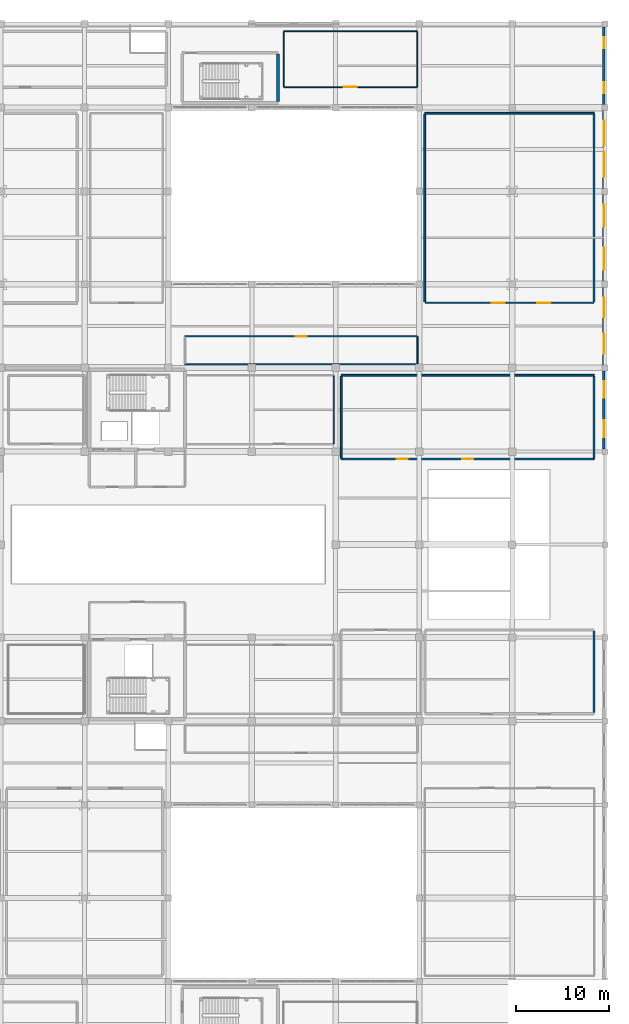
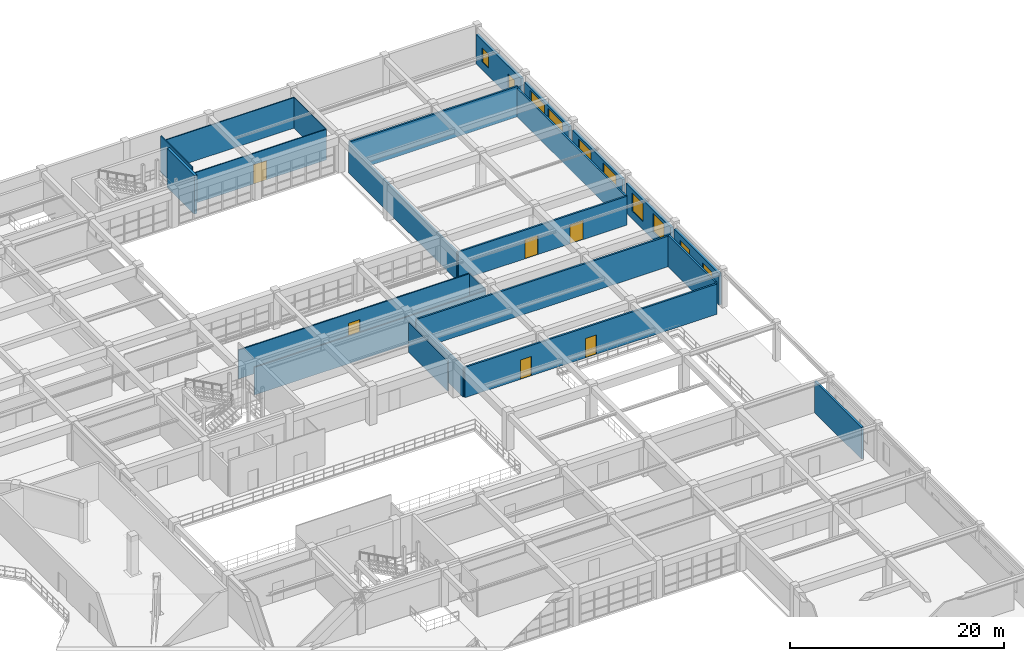
# One storey, part 117 of 133: 23 walls, 10 windows, 6 doors, 16 openings.
"""IFC4 building model written with IfcOpenShell, lengths in metres."""

import ifcopenshell
import ifcopenshell.guid

model = None  # the IFC model being written
_history = None  # IfcOwnerHistory: only IFC2X3 demands one
_inside = {}  # id of a spatial element -> (the spatial element, [elements in it])
_under = {}  # id of a project, library or spatial element -> (it, [spatial elements below it])
_declared = {}  # id of a project -> (the project, [libraries it declares])
_typed = {}  # id of a type object -> (the type object, [elements of that type])
_made_of = {}  # id of a material, layer set ... -> (it, [elements and type objects made of it])


def new_model(schema):
    """Start an empty IFC model of exactly this schema.

    Asked for "IFC4X3", IfcOpenShell would pick the latest addendum, in which some entities
    have other attributes; the version numbers below select the first issue.
    IFC2X3 requires an IfcOwnerHistory on every rooted entity: one is made here for all.
    """
    global model, _history
    if schema == "IFC4X3":
        model = ifcopenshell.file(schema_version=(4, 3, 0, 0))
    else:
        model = ifcopenshell.file(schema=schema)
    _inside.clear()
    _under.clear()
    _declared.clear()
    _typed.clear()
    _made_of.clear()
    _history = None
    if model.schema == "IFC2X3":
        org = make("IfcOrganization", Name="unknown")
        user = make(
            "IfcPersonAndOrganization",
            ThePerson=make("IfcPerson", FamilyName="unknown"),
            TheOrganization=org,
        )
        app = make(
            "IfcApplication",
            ApplicationDeveloper=org,
            Version="unknown",
            ApplicationFullName="unknown",
            ApplicationIdentifier="unknown",
        )
        _history = make(
            "IfcOwnerHistory",
            OwningUser=user,
            OwningApplication=app,
            ChangeAction="ADDED",
            CreationDate=0,
        )
    return model


def make(cls, **values):
    """One entity of the class cls with the attributes given. An attribute that is None is left unset."""
    return model.create_entity(
        cls, **{name: value for name, value in values.items() if value is not None}
    )


def rooted(cls, **values):
    """An entity with a GlobalId (a new one), such as an element, a storey or a relation."""
    return make(cls, GlobalId=ifcopenshell.guid.new(), OwnerHistory=_history, **values)


def si_unit(unit_type, name, prefix=None):
    """IfcSIUnit, for example si_unit("LENGTHUNIT", "METRE", prefix="MILLI")."""
    return make("IfcSIUnit", UnitType=unit_type, Prefix=prefix, Name=name)


def assignment(units):
    """IfcUnitAssignment: the units of a project."""
    return None if units is None else make("IfcUnitAssignment", Units=units)


def point(xyz):
    """IfcCartesianPoint."""
    return None if xyz is None else make("IfcCartesianPoint", Coordinates=xyz)


def direction(xyz):
    """IfcDirection."""
    return None if xyz is None else make("IfcDirection", DirectionRatios=xyz)


def frame(location, z_axis=None, x_axis=None):
    """IfcAxis2Placement3D, a coordinate frame: its origin and axes. An axis left out is left unset."""
    return make(
        "IfcAxis2Placement3D",
        Location=point(location),
        Axis=direction(z_axis),
        RefDirection=direction(x_axis),
    )


def frame_2d(location, x_axis=None):
    """IfcAxis2Placement2D, a coordinate frame in the plane: its origin and x axis."""
    return make(
        "IfcAxis2Placement2D", Location=point(location), RefDirection=direction(x_axis)
    )


def origin():
    """The frame at (0, 0, 0) with its axes left unset."""
    return frame((0.0, 0.0, 0.0))


def place(relative_to, where):
    """IfcLocalPlacement: puts the frame where relative to a parent placement (None: the world)."""
    return make(
        "IfcLocalPlacement", PlacementRelTo=relative_to, RelativePlacement=where
    )


def context(
    kind, dimensions, precision=None, world=None, true_north=None, identifier=None
):
    """IfcGeometricRepresentationContext, for example the 3D "Model" context."""
    return make(
        "IfcGeometricRepresentationContext",
        ContextIdentifier=identifier,
        ContextType=kind,
        CoordinateSpaceDimension=dimensions,
        Precision=precision,
        WorldCoordinateSystem=world,
        TrueNorth=true_north,
    )


def subcontext(parent, identifier, kind, view, scale=None):
    """IfcGeometricRepresentationSubContext, for example "Body" below "Model"."""
    return make(
        "IfcGeometricRepresentationSubContext",
        ContextIdentifier=identifier,
        ContextType=kind,
        ParentContext=parent,
        TargetScale=scale,
        TargetView=view,
    )


def project(units=None, contexts=None):
    """IfcProject with its units and contexts."""
    return rooted(
        "IfcProject",
        Name="project",
        RepresentationContexts=contexts,
        UnitsInContext=assignment(units),
    )


def spatial(cls, under=None, at=None, **own):
    """A site, building, storey or space (cls), placed at a placement, below another one or the project."""
    s = rooted(cls, ObjectPlacement=at, **own)
    if under is not None:
        _under.setdefault(under.id(), (under, []))[1].append(s)
    return s


def profile(cls, at=None, kind="AREA", **sizes):
    """A parametric profile (cls). Its sizes go by their IFC names, for example OverallWidth=200.0."""
    return make(cls, ProfileType=kind, Position=at, **sizes)


def rectangle(**sizes):
    """IfcRectangleProfileDef."""
    return profile("IfcRectangleProfileDef", **sizes)


def extrude(swept, where, along, depth):
    """IfcExtrudedAreaSolid: the profile swept, set in the frame where, extruded along a direction by depth."""
    return make(
        "IfcExtrudedAreaSolid",
        SweptArea=swept,
        Position=where,
        ExtrudedDirection=direction(along),
        Depth=depth,
    )


def shape(context_of_items, identifier, shape_type, items):
    """IfcShapeRepresentation: the items that make up one representation, for example the "Body"."""
    return make(
        "IfcShapeRepresentation",
        ContextOfItems=context_of_items,
        RepresentationIdentifier=identifier,
        RepresentationType=shape_type,
        Items=items,
    )


def material(Name=None, Category=None):
    """IfcMaterial."""
    return make("IfcMaterial", Name=Name, Category=Category)


def layer(
    of_material, thickness, ventilated=None, Name=None, Category=None, Priority=None
):
    """IfcMaterialLayer: one layer of a wall or slab, of a material (None: an air gap)."""
    return make(
        "IfcMaterialLayer",
        Material=of_material,
        LayerThickness=thickness,
        IsVentilated=ventilated,
        Name=Name,
        Category=Category,
        Priority=Priority,
    )


def layer_set(layers, Name=None):
    """IfcMaterialLayerSet."""
    return make("IfcMaterialLayerSet", MaterialLayers=layers, LayerSetName=Name)


def made_of(thing, what):
    """Note that an element or type object is made of a material, layer set ...; save() writes the relation."""
    if what is not None:
        _made_of.setdefault(what.id(), (what, []))[1].append(thing)
    return thing


def type_object(cls, material=None, **own):
    """A type object (cls), such as IfcWallType, which elements share."""
    return made_of(rooted(cls, **own), material)


def element(
    cls,
    number,
    at=None,
    inside=None,
    cuts=None,
    type_object=None,
    material=None,
    context=None,
    identifier="Body",
    shape_type=None,
    held_by="IfcProductDefinitionShape",
    body=None,
    shapes=None,
    **own,
):
    """One element of the class cls, such as IfcWall. Its Tag is "e" and its number.

    at: its placement. inside: the storey or other place that contains it. cuts: it is an
    opening in that element (IfcRelVoidsElement). A single representation is given by context,
    identifier, shape_type and body (its items); several are given by shapes. held_by: the class
    of the entity that holds the representations. save() writes the other relations.
    """
    e = rooted(cls, Tag="e%d" % number, ObjectPlacement=at, **own)
    if body is not None:
        shapes = [shape(context, identifier, shape_type, body)]
    if shapes is not None:
        e.Representation = make(held_by, Representations=shapes)
    if inside is not None:
        _inside.setdefault(inside.id(), (inside, []))[1].append(e)
    if cuts is not None:
        rooted(
            "IfcRelVoidsElement", RelatingBuildingElement=cuts, RelatedOpeningElement=e
        )
    if type_object is not None:
        _typed.setdefault(type_object.id(), (type_object, []))[1].append(e)
    return made_of(e, material)


def fill(opening, filler):
    """IfcRelFillsElement: the door or window that sits in an opening."""
    return rooted(
        "IfcRelFillsElement",
        RelatingOpeningElement=opening,
        RelatedBuildingElement=filler,
    )


def aggregate(whole, parts):
    """IfcRelAggregates: a whole, such as a stair, and the parts it consists of."""
    return rooted("IfcRelAggregates", RelatingObject=whole, RelatedObjects=parts)


def save(model, path):
    """Write the relations noted so far, then the file.

    IfcRelAggregates (storeys below a building ...), IfcRelContainedInSpatialStructure (elements
    in a storey), IfcRelDefinesByType, IfcRelAssociatesMaterial and IfcRelDeclares: one each for
    every whole, place, type object, material and project.
    """
    for whole, parts in _under.values():
        aggregate(whole, parts)
    for where, things in _inside.values():
        rooted(
            "IfcRelContainedInSpatialStructure",
            RelatedElements=things,
            RelatingStructure=where,
        )
    for kind, things in _typed.values():
        rooted("IfcRelDefinesByType", RelatedObjects=things, RelatingType=kind)
    for what, things in _made_of.values():
        rooted("IfcRelAssociatesMaterial", RelatedObjects=things, RelatingMaterial=what)
    for by, libraries in _declared.values():
        rooted("IfcRelDeclares", RelatingContext=by, RelatedDefinitions=libraries)
    model.write(path)


model = new_model("IFC4")

# Units and contexts
model_context = context("Model", 3, precision=1e-05, world=origin(), true_north=direction((0.0, 1.0)))
body_context = subcontext(model_context, "Body", "Model", "MODEL_VIEW")
ifc_project = project(units=[si_unit("LENGTHUNIT", "METRE"), si_unit("AREAUNIT", "SQUARE_METRE"), si_unit("VOLUMEUNIT", "CUBIC_METRE"), si_unit("PLANEANGLEUNIT", "RADIAN"), si_unit("MASSUNIT", "GRAM", prefix="KILO")], contexts=[model_context])

# Site, building, storey
site_placement = place(None, origin())
site = spatial("IfcSite", under=ifc_project, at=site_placement, CompositionType="ELEMENT")
building_placement = place(site_placement, origin())
building = spatial("IfcBuilding", under=site, at=building_placement, Name="Miravela Opera House", CompositionType="ELEMENT")
storey_placement = place(building_placement, frame((0.0, 0.0, 5.10009765625)))
storey = spatial("IfcBuildingStorey", under=building, at=storey_placement, Name="L01", CompositionType="ELEMENT", Elevation=5.10009765625)

# Wall, openings, windows
ifc_material_1 = material(Name="Insulated cream lime-stuccoed masonry", Category="masonry")
ifc_layer_1 = layer(ifc_material_1, 0.2900390625)
ifc_layer_set_1 = layer_set([ifc_layer_1])
wall_type_1 = type_object("IfcWallType", Name="ARC-EW-STUCCO-290", PredefinedType="STANDARD", material=ifc_layer_set_1)
wall_1_placement = place(storey_placement, frame((163.85009765625, 66.300048828125, 0.0), z_axis=(0.0, 0.0, 1.0), x_axis=(0.0, 1.0, 0.0)))
wall_1 = element("IfcWall", 1, at=wall_1_placement, inside=storey, type_object=wall_type_1, Name="Spanish Colonial Stucco Facade Wall L01-006", PredefinedType="STANDARD", context=body_context, shape_type="SweptSolid", body=[
    extrude(rectangle(XDim=8.375, YDim=0.2900390625, at=frame_2d((4.1875, 0.0))), origin(), (0.0, 0.0, 1.0), 3.616943359375),
])
opening_1_placement = place(wall_1_placement, frame((1.25, 0.0, 0.89990234375)))
opening_1 = element("IfcOpeningElement", 2, at=opening_1_placement, cuts=wall_1, Name="Opening W-03", PredefinedType="OPENING", context=body_context, shape_type="SweptSolid", body=[
    extrude(rectangle(XDim=1.800048828125, YDim=2.10009765625, at=frame_2d((0.89990234375, 1.050048828125))), frame((0.0, 0.155029296875, 0.0), z_axis=(0.0, -1.0, 0.0), x_axis=(1.0, 0.0, 0.0)), (0.0, 0.0, 1.0), 0.31005859375),
])
opening_2_placement = place(wall_1_placement, frame((5.47509765625, 0.0, 0.89990234375)))
opening_2 = element("IfcOpeningElement", 3, at=opening_2_placement, cuts=wall_1, Name="Opening W-03", PredefinedType="OPENING", context=body_context, shape_type="SweptSolid", body=[
    extrude(rectangle(XDim=1.800048828125, YDim=2.10009765625, at=frame_2d((0.89990234375, 1.050048828125))), frame((0.0, 0.155029296875, 0.0), z_axis=(0.0, -1.0, 0.0), x_axis=(1.0, 0.0, 0.0)), (0.0, 0.0, 1.0), 0.31005859375),
])
ifc_material_2 = material(Name="Bronze-anodised aluminium and acoustic low-E glass", Category="aluminium")
window_type_1 = type_object("IfcWindowType", Name="ARC-WIN-03", PartitioningType="DOUBLE_PANEL_VERTICAL", PredefinedType="WINDOW", material=ifc_material_2)
window_1_placement = place(opening_1_placement, origin())
window_1 = element("IfcWindow", 4, at=window_1_placement, inside=storey, type_object=window_type_1, Name="Window W-03 #035", OverallHeight=2.10009765625, OverallWidth=1.800048828125, PartitioningType="DOUBLE_PANEL_VERTICAL", PredefinedType="WINDOW", context=body_context, shape_type="SweptSolid", body=[
    extrude(rectangle(XDim=1.800048828125, YDim=2.10009765625, at=frame_2d((0.89990234375, 1.050048828125))), frame((0.0, 0.030029296875, 0.0), z_axis=(0.0, -1.0, 0.0), x_axis=(1.0, 0.0, 0.0)), (0.0, 0.0, 1.0), 0.06005859375),
])
fill(opening_1, window_1)
window_2_placement = place(opening_2_placement, origin())
window_2 = element("IfcWindow", 5, at=window_2_placement, inside=storey, type_object=window_type_1, Name="Window W-03 #036", OverallHeight=2.10009765625, OverallWidth=1.800048828125, PartitioningType="DOUBLE_PANEL_VERTICAL", PredefinedType="WINDOW", context=body_context, shape_type="SweptSolid", body=[
    extrude(rectangle(XDim=1.800048828125, YDim=2.10009765625, at=frame_2d((0.89990234375, 1.050048828125))), frame((0.0, 0.030029296875, 0.0), z_axis=(0.0, -1.0, 0.0), x_axis=(1.0, 0.0, 0.0)), (0.0, 0.0, 1.0), 0.06005859375),
])
fill(opening_2, window_2)

wall_2_placement = place(storey_placement, frame((163.85009765625, 75.324951171875, 0.0), z_axis=(0.0, 0.0, 1.0), x_axis=(0.0, 1.0, 0.0)))
wall_2 = element("IfcWall", 6, at=wall_2_placement, inside=storey, type_object=wall_type_1, Name="Spanish Colonial Stucco Facade Wall L01-007", PredefinedType="STANDARD", context=body_context, shape_type="SweptSolid", body=[
    extrude(rectangle(XDim=8.35009765625, YDim=0.2900390625, at=frame_2d((4.175048828125, 0.0))), origin(), (0.0, 0.0, 1.0), 3.389892578125),
])
opening_3_placement = place(wall_2_placement, frame((1.22509765625, 0.0, 0.89990234375)))
opening_3 = element("IfcOpeningElement", 7, at=opening_3_placement, cuts=wall_2, Name="Opening W-04", PredefinedType="OPENING", context=body_context, shape_type="SweptSolid", body=[
    extrude(rectangle(XDim=2.10009765625, YDim=2.10009765625, at=frame_2d((1.050048828125, 1.050048828125))), frame((0.0, 0.155029296875, 0.0), z_axis=(0.0, -1.0, 0.0), x_axis=(1.0, 0.0, 0.0)), (0.0, 0.0, 1.0), 0.31005859375),
])
opening_4_placement = place(wall_2_placement, frame((5.14990234375, 0.0, 0.89990234375)))
opening_4 = element("IfcOpeningElement", 8, at=opening_4_placement, cuts=wall_2, Name="Opening W-04", PredefinedType="OPENING", context=body_context, shape_type="SweptSolid", body=[
    extrude(rectangle(XDim=2.10009765625, YDim=2.10009765625, at=frame_2d((1.050048828125, 1.050048828125))), frame((0.0, 0.155029296875, 0.0), z_axis=(0.0, -1.0, 0.0), x_axis=(1.0, 0.0, 0.0)), (0.0, 0.0, 1.0), 0.31005859375),
])
window_type_2 = type_object("IfcWindowType", Name="ARC-WIN-04", PartitioningType="TRIPLE_PANEL_VERTICAL", PredefinedType="WINDOW", material=ifc_material_2)
window_3_placement = place(opening_3_placement, origin())
window_3 = element("IfcWindow", 9, at=window_3_placement, inside=storey, type_object=window_type_2, Name="Window W-04 #037", OverallHeight=2.10009765625, OverallWidth=2.10009765625, PartitioningType="TRIPLE_PANEL_VERTICAL", PredefinedType="WINDOW", context=body_context, shape_type="SweptSolid", body=[
    extrude(rectangle(XDim=2.10009765625, YDim=2.10009765625, at=frame_2d((1.050048828125, 1.050048828125))), frame((0.0, 0.030029296875, 0.0), z_axis=(0.0, -1.0, 0.0), x_axis=(1.0, 0.0, 0.0)), (0.0, 0.0, 1.0), 0.06005859375),
])
fill(opening_3, window_3)
window_4_placement = place(opening_4_placement, origin())
window_4 = element("IfcWindow", 10, at=window_4_placement, inside=storey, type_object=window_type_2, Name="Window W-04 #038", OverallHeight=2.10009765625, OverallWidth=2.10009765625, PartitioningType="TRIPLE_PANEL_VERTICAL", PredefinedType="WINDOW", context=body_context, shape_type="SweptSolid", body=[
    extrude(rectangle(XDim=2.10009765625, YDim=2.10009765625, at=frame_2d((1.050048828125, 1.050048828125))), frame((0.0, 0.030029296875, 0.0), z_axis=(0.0, -1.0, 0.0), x_axis=(1.0, 0.0, 0.0)), (0.0, 0.0, 1.0), 0.06005859375),
])
fill(opening_4, window_4)

wall_3_placement = place(storey_placement, frame((163.85009765625, 84.324951171875, 0.0), z_axis=(0.0, 0.0, 1.0), x_axis=(0.0, 1.0, 0.0)))
wall_3 = element("IfcWall", 11, at=wall_3_placement, inside=storey, type_object=wall_type_1, Name="Spanish Colonial Stucco Facade Wall L01-008", PredefinedType="STANDARD", context=body_context, shape_type="SweptSolid", body=[
    extrude(rectangle(XDim=9.35009765625, YDim=0.2900390625, at=frame_2d((4.675048828125, 0.0))), origin(), (0.0, 0.0, 1.0), 3.389892578125),
])
opening_5_placement = place(wall_3_placement, frame((1.22509765625, 0.0, 0.89990234375)))
opening_5 = element("IfcOpeningElement", 12, at=opening_5_placement, cuts=wall_3, Name="Opening W-05", PredefinedType="OPENING", context=body_context, shape_type="SweptSolid", body=[
    extrude(rectangle(XDim=2.39990234375, YDim=2.199951171875, at=frame_2d((1.199951171875, 1.10009765625))), frame((0.0, 0.155029296875, 0.0), z_axis=(0.0, -1.0, 0.0), x_axis=(1.0, 0.0, 0.0)), (0.0, 0.0, 1.0), 0.31005859375),
])
opening_6_placement = place(wall_3_placement, frame((5.85009765625, 0.0, 0.89990234375)))
opening_6 = element("IfcOpeningElement", 13, at=opening_6_placement, cuts=wall_3, Name="Opening W-05", PredefinedType="OPENING", context=body_context, shape_type="SweptSolid", body=[
    extrude(rectangle(XDim=2.39990234375, YDim=2.199951171875, at=frame_2d((1.199951171875, 1.10009765625))), frame((0.0, 0.155029296875, 0.0), z_axis=(0.0, -1.0, 0.0), x_axis=(1.0, 0.0, 0.0)), (0.0, 0.0, 1.0), 0.31005859375),
])
window_type_3 = type_object("IfcWindowType", Name="ARC-WIN-05", PartitioningType="TRIPLE_PANEL_VERTICAL", PredefinedType="WINDOW", material=ifc_material_2)
window_5_placement = place(opening_5_placement, origin())
window_5 = element("IfcWindow", 14, at=window_5_placement, inside=storey, type_object=window_type_3, Name="Window W-05 #039", OverallHeight=2.199951171875, OverallWidth=2.39990234375, PartitioningType="TRIPLE_PANEL_VERTICAL", PredefinedType="WINDOW", context=body_context, shape_type="SweptSolid", body=[
    extrude(rectangle(XDim=2.39990234375, YDim=2.199951171875, at=frame_2d((1.199951171875, 1.10009765625))), frame((0.0, 0.030029296875, 0.0), z_axis=(0.0, -1.0, 0.0), x_axis=(1.0, 0.0, 0.0)), (0.0, 0.0, 1.0), 0.06005859375),
])
fill(opening_5, window_5)
window_6_placement = place(opening_6_placement, origin())
window_6 = element("IfcWindow", 15, at=window_6_placement, inside=storey, type_object=window_type_3, Name="Window W-05 #040", OverallHeight=2.199951171875, OverallWidth=2.39990234375, PartitioningType="TRIPLE_PANEL_VERTICAL", PredefinedType="WINDOW", context=body_context, shape_type="SweptSolid", body=[
    extrude(rectangle(XDim=2.39990234375, YDim=2.199951171875, at=frame_2d((1.199951171875, 1.10009765625))), frame((0.0, 0.030029296875, 0.0), z_axis=(0.0, -1.0, 0.0), x_axis=(1.0, 0.0, 0.0)), (0.0, 0.0, 1.0), 0.06005859375),
])
fill(opening_6, window_6)

wall_4_placement = place(storey_placement, frame((163.85009765625, 94.324951171875, 0.0), z_axis=(0.0, 0.0, 1.0), x_axis=(0.0, 1.0, 0.0)))
wall_4 = element("IfcWall", 16, at=wall_4_placement, inside=storey, type_object=wall_type_1, Name="Spanish Colonial Stucco Facade Wall L01-009", PredefinedType="STANDARD", context=body_context, shape_type="SweptSolid", body=[
    extrude(rectangle(XDim=8.35009765625, YDim=0.2900390625, at=frame_2d((4.175048828125, 0.0))), origin(), (0.0, 0.0, 1.0), 3.389892578125),
])
opening_7_placement = place(wall_4_placement, frame((1.22509765625, 0.0, 0.89990234375)))
opening_7 = element("IfcOpeningElement", 17, at=opening_7_placement, cuts=wall_4, Name="Opening W-06", PredefinedType="OPENING", context=body_context, shape_type="SweptSolid", body=[
    extrude(rectangle(XDim=2.699951171875, YDim=2.199951171875, at=frame_2d((1.35009765625, 1.10009765625))), frame((0.0, 0.155029296875, 0.0), z_axis=(0.0, -1.0, 0.0), x_axis=(1.0, 0.0, 0.0)), (0.0, 0.0, 1.0), 0.31005859375),
])
opening_8_placement = place(wall_4_placement, frame((4.550048828125, 0.0, 0.89990234375)))
opening_8 = element("IfcOpeningElement", 18, at=opening_8_placement, cuts=wall_4, Name="Opening W-06", PredefinedType="OPENING", context=body_context, shape_type="SweptSolid", body=[
    extrude(rectangle(XDim=2.699951171875, YDim=2.199951171875, at=frame_2d((1.35009765625, 1.10009765625))), frame((0.0, 0.155029296875, 0.0), z_axis=(0.0, -1.0, 0.0), x_axis=(1.0, 0.0, 0.0)), (0.0, 0.0, 1.0), 0.31005859375),
])
window_type_4 = type_object("IfcWindowType", Name="ARC-WIN-06", PartitioningType="TRIPLE_PANEL_VERTICAL", PredefinedType="WINDOW", material=ifc_material_2)
window_7_placement = place(opening_7_placement, origin())
window_7 = element("IfcWindow", 19, at=window_7_placement, inside=storey, type_object=window_type_4, Name="Window W-06 #041", OverallHeight=2.199951171875, OverallWidth=2.699951171875, PartitioningType="TRIPLE_PANEL_VERTICAL", PredefinedType="WINDOW", context=body_context, shape_type="SweptSolid", body=[
    extrude(rectangle(XDim=2.699951171875, YDim=2.199951171875, at=frame_2d((1.35009765625, 1.10009765625))), frame((0.0, 0.030029296875, 0.0), z_axis=(0.0, -1.0, 0.0), x_axis=(1.0, 0.0, 0.0)), (0.0, 0.0, 1.0), 0.06005859375),
])
fill(opening_7, window_7)
window_8_placement = place(opening_8_placement, origin())
window_8 = element("IfcWindow", 20, at=window_8_placement, inside=storey, type_object=window_type_4, Name="Window W-06 #042", OverallHeight=2.199951171875, OverallWidth=2.699951171875, PartitioningType="TRIPLE_PANEL_VERTICAL", PredefinedType="WINDOW", context=body_context, shape_type="SweptSolid", body=[
    extrude(rectangle(XDim=2.699951171875, YDim=2.199951171875, at=frame_2d((1.35009765625, 1.10009765625))), frame((0.0, 0.030029296875, 0.0), z_axis=(0.0, -1.0, 0.0), x_axis=(1.0, 0.0, 0.0)), (0.0, 0.0, 1.0), 0.06005859375),
])
fill(opening_8, window_8)

wall_5_placement = place(storey_placement, frame((163.85009765625, 103.324951171875, 0.0), z_axis=(0.0, 0.0, 1.0), x_axis=(0.0, 1.0, 0.0)))
wall_5 = element("IfcWall", 21, at=wall_5_placement, inside=storey, type_object=wall_type_1, Name="Spanish Colonial Stucco Facade Wall L01-010", PredefinedType="STANDARD", context=body_context, shape_type="SweptSolid", body=[
    extrude(rectangle(XDim=8.35009765625, YDim=0.2900390625, at=frame_2d((4.175048828125, 0.0))), origin(), (0.0, 0.0, 1.0), 3.389892578125),
])
opening_9_placement = place(wall_5_placement, frame((1.22509765625, 0.0, 0.89990234375)))
opening_9 = element("IfcOpeningElement", 22, at=opening_9_placement, cuts=wall_5, Name="Opening W-11", PredefinedType="OPENING", context=body_context, shape_type="SweptSolid", body=[
    extrude(rectangle(XDim=1.199951171875, YDim=1.60009765625, at=frame_2d((0.60009765625, 0.800048828125))), frame((0.0, 0.155029296875, 0.0), z_axis=(0.0, -1.0, 0.0), x_axis=(1.0, 0.0, 0.0)), (0.0, 0.0, 1.0), 0.31005859375),
])
opening_10_placement = place(wall_5_placement, frame((6.050048828125, 0.0, 0.89990234375)))
opening_10 = element("IfcOpeningElement", 23, at=opening_10_placement, cuts=wall_5, Name="Opening W-11", PredefinedType="OPENING", context=body_context, shape_type="SweptSolid", body=[
    extrude(rectangle(XDim=1.199951171875, YDim=1.60009765625, at=frame_2d((0.60009765625, 0.800048828125))), frame((0.0, 0.155029296875, 0.0), z_axis=(0.0, -1.0, 0.0), x_axis=(1.0, 0.0, 0.0)), (0.0, 0.0, 1.0), 0.31005859375),
])
window_type_5 = type_object("IfcWindowType", Name="ARC-WIN-11", PartitioningType="SINGLE_PANEL", PredefinedType="WINDOW", material=ifc_material_2)
window_9_placement = place(opening_9_placement, origin())
window_9 = element("IfcWindow", 24, at=window_9_placement, inside=storey, type_object=window_type_5, Name="Window W-11 #043", OverallHeight=1.60009765625, OverallWidth=1.199951171875, PartitioningType="SINGLE_PANEL", PredefinedType="WINDOW", context=body_context, shape_type="SweptSolid", body=[
    extrude(rectangle(XDim=1.199951171875, YDim=1.60009765625, at=frame_2d((0.60009765625, 0.800048828125))), frame((0.0, 0.030029296875, 0.0), z_axis=(0.0, -1.0, 0.0), x_axis=(1.0, 0.0, 0.0)), (0.0, 0.0, 1.0), 0.06005859375),
])
fill(opening_9, window_9)
window_10_placement = place(opening_10_placement, origin())
window_10 = element("IfcWindow", 25, at=window_10_placement, inside=storey, type_object=window_type_5, Name="Window W-11 #044", OverallHeight=1.60009765625, OverallWidth=1.199951171875, PartitioningType="SINGLE_PANEL", PredefinedType="WINDOW", context=body_context, shape_type="SweptSolid", body=[
    extrude(rectangle(XDim=1.199951171875, YDim=1.60009765625, at=frame_2d((0.60009765625, 0.800048828125))), frame((0.0, 0.030029296875, 0.0), z_axis=(0.0, -1.0, 0.0), x_axis=(1.0, 0.0, 0.0)), (0.0, 0.0, 1.0), 0.06005859375),
])
fill(opening_10, window_10)

# Wall, opening, door
ifc_material_3 = material(Name="Double-layer acoustic gypsum partition")
ifc_layer_2 = layer(ifc_material_3, 0.110107421875)
ifc_layer_set_2 = layer_set([ifc_layer_2])
wall_type_2 = type_object("IfcWallType", Name="ARC-PT-110", PredefinedType="PARTITIONING", material=ifc_layer_set_2)
wall_6_placement = place(storey_placement, frame((129.39990234375, 105.199951171875, 0.0), z_axis=(0.0, 0.0, 1.0), x_axis=(1.0, 0.0, 0.0)))
wall_6 = element("IfcWall", 26, at=wall_6_placement, inside=storey, type_object=wall_type_2, Name="Opera Chorus Rehearsal Salon Partition South", PredefinedType="PARTITIONING", context=body_context, shape_type="SweptSolid", body=[
    extrude(rectangle(XDim=14.400146484375, YDim=0.110107421875, at=frame_2d((7.2001953125, 0.0))), origin(), (0.0, 0.0, 1.0), 3.489990234375),
])
opening_11_placement = place(wall_6_placement, frame((6.5, 0.0, 0.0)))
opening_11 = element("IfcOpeningElement", 27, at=opening_11_placement, cuts=wall_6, Name="Opening ID-05", PredefinedType="OPENING", context=body_context, shape_type="SweptSolid", body=[
    extrude(rectangle(XDim=1.39990234375, YDim=2.199951171875, at=frame_2d((0.699951171875, 1.10009765625))), frame((0.0, 0.06494140625, 0.0), z_axis=(0.0, -1.0, 0.0), x_axis=(1.0, 0.0, 0.0)), (0.0, 0.0, 1.0), 0.130126953125),
])
ifc_material_4 = material(Name="Double-leaf glazed mahogany salon door")
door_type_1 = type_object("IfcDoorType", Name="ARC-DR-1400X2200", OperationType="NOTDEFINED", PredefinedType="DOOR", material=ifc_material_4)
door_1_placement = place(opening_11_placement, origin())
door_1 = element("IfcDoor", 28, at=door_1_placement, inside=storey, type_object=door_type_1, Name="Opera Chorus Rehearsal Salon Entry Door IDR-L01-0192", OperationType="DOUBLE_DOOR_SINGLE_SWING", OverallHeight=2.199951171875, OverallWidth=1.39990234375, PredefinedType="DOOR", context=body_context, shape_type="SweptSolid", body=[
    extrude(rectangle(XDim=1.39990234375, YDim=2.199951171875, at=frame_2d((0.699951171875, 1.10009765625))), frame((0.0, 0.02490234375, 0.0), z_axis=(0.0, -1.0, 0.0), x_axis=(1.0, 0.0, 0.0)), (0.0, 0.0, 1.0), 0.050048828125),
])
fill(opening_11, door_1)

# Walls
wall_7_placement = place(storey_placement, frame((129.39990234375, 111.199951171875, 0.0), z_axis=(0.0, 0.0, 1.0), x_axis=(1.0, 0.0, 0.0)))
element("IfcWall", 29, at=wall_7_placement, inside=storey, type_object=wall_type_2, Name="Opera Chorus Rehearsal Salon Partition North", PredefinedType="PARTITIONING", context=body_context, shape_type="SweptSolid", body=[
    extrude(rectangle(XDim=14.400146484375, YDim=0.110107421875, at=frame_2d((7.2001953125, 0.0))), origin(), (0.0, 0.0, 1.0), 3.489990234375),
])
wall_8_placement = place(storey_placement, frame((129.39990234375, 105.2548828125, 0.0), z_axis=(0.0, 0.0, 1.0), x_axis=(0.0, 1.0, 0.0)))
element("IfcWall", 30, at=wall_8_placement, inside=storey, type_object=wall_type_2, Name="Opera Chorus Rehearsal Salon Partition West", PredefinedType="PARTITIONING", context=body_context, shape_type="SweptSolid", body=[
    extrude(rectangle(XDim=5.89013671875, YDim=0.110107421875, at=frame_2d((2.945068359375, 0.0))), origin(), (0.0, 0.0, 1.0), 4.159912109375),
])
wall_9_placement = place(storey_placement, frame((143.800048828125, 105.2548828125, 0.0), z_axis=(0.0, 0.0, 1.0), x_axis=(0.0, 1.0, 0.0)))
element("IfcWall", 31, at=wall_9_placement, inside=storey, type_object=wall_type_2, Name="Opera Chorus Rehearsal Salon Partition East", PredefinedType="PARTITIONING", context=body_context, shape_type="SweptSolid", body=[
    extrude(rectangle(XDim=5.89013671875, YDim=0.110107421875, at=frame_2d((2.945068359375, 0.0))), origin(), (0.0, 0.0, 1.0), 3.489990234375),
])
ifc_material_5 = material(Name="Fire-rated acoustic gypsum partition")
ifc_layer_3 = layer(ifc_material_5, 0.1298828125)
ifc_layer_set_3 = layer_set([ifc_layer_3])
wall_type_3 = type_object("IfcWallType", Name="ARC-PT-130", PredefinedType="PARTITIONING", material=ifc_layer_set_3)
wall_10_placement = place(storey_placement, frame((118.800048828125, 75.39990234375, 0.0), z_axis=(0.0, 0.0, 1.0), x_axis=(1.0, 0.0, 0.0)))
element("IfcWall", 32, at=wall_10_placement, inside=storey, type_object=wall_type_3, Name="Stage Sound and Video Production Studio Partition South", PredefinedType="PARTITIONING", context=body_context, shape_type="SweptSolid", body=[
    extrude(rectangle(XDim=25.0, YDim=0.1298828125, at=frame_2d((12.5, 0.0))), origin(), (0.0, 0.0, 1.0), 3.139892578125),
])

# Wall, opening, door
wall_11_placement = place(storey_placement, frame((118.800048828125, 78.39990234375, 0.0), z_axis=(0.0, 0.0, 1.0), x_axis=(1.0, 0.0, 0.0)))
wall_11 = element("IfcWall", 33, at=wall_11_placement, inside=storey, type_object=wall_type_3, Name="Stage Sound and Video Production Studio Partition North", PredefinedType="PARTITIONING", context=body_context, shape_type="SweptSolid", body=[
    extrude(rectangle(XDim=25.0, YDim=0.1298828125, at=frame_2d((12.5, 0.0))), origin(), (0.0, 0.0, 1.0), 3.289794921875),
])
opening_12_placement = place(wall_11_placement, frame((11.89990234375, 0.0, 0.0)))
opening_12 = element("IfcOpeningElement", 34, at=opening_12_placement, cuts=wall_11, Name="Opening ID-04", PredefinedType="OPENING", context=body_context, shape_type="SweptSolid", body=[
    extrude(rectangle(XDim=1.199951171875, YDim=2.199951171875, at=frame_2d((0.60009765625, 1.10009765625))), frame((0.0, 0.074951171875, 0.0), z_axis=(0.0, -1.0, 0.0), x_axis=(1.0, 0.0, 0.0)), (0.0, 0.0, 1.0), 0.14990234375),
])
ifc_material_6 = material(Name="Wide acoustic ensemble door")
door_type_2 = type_object("IfcDoorType", Name="ARC-DR-1200X2200", OperationType="NOTDEFINED", PredefinedType="DOOR", material=ifc_material_6)
door_2_placement = place(opening_12_placement, origin())
door_2 = element("IfcDoor", 35, at=door_2_placement, inside=storey, type_object=door_type_2, Name="Stage Sound and Video Production Studio Entry Door IDR-L01-0193", OperationType="SINGLE_SWING_LEFT", OverallHeight=2.199951171875, OverallWidth=1.199951171875, PredefinedType="DOOR", context=body_context, shape_type="SweptSolid", body=[
    extrude(rectangle(XDim=1.199951171875, YDim=2.199951171875, at=frame_2d((0.60009765625, 1.10009765625))), frame((0.0, 0.02490234375, 0.0), z_axis=(0.0, -1.0, 0.0), x_axis=(1.0, 0.0, 0.0)), (0.0, 0.0, 1.0), 0.050048828125),
])
fill(opening_12, door_2)

# Walls
wall_12_placement = place(storey_placement, frame((143.800048828125, 75.465087890625, 0.0), z_axis=(0.0, 0.0, 1.0), x_axis=(0.0, 1.0, 0.0)))
element("IfcWall", 36, at=wall_12_placement, inside=storey, type_object=wall_type_3, Name="Stage Sound and Video Production Studio Partition East", PredefinedType="PARTITIONING", context=body_context, shape_type="SweptSolid", body=[
    extrude(rectangle(XDim=2.869873046875, YDim=0.1298828125, at=frame_2d((1.43505859375, 0.0))), origin(), (0.0, 0.0, 1.0), 3.289794921875),
])
wall_13_placement = place(storey_placement, frame((134.800048828125, 66.864990234375, 0.0), z_axis=(0.0, 0.0, 1.0), x_axis=(0.0, 1.0, 0.0)))
element("IfcWall", 37, at=wall_13_placement, inside=storey, type_object=wall_type_3, Name="Stage Prompt and Audio Mixing Studio Partition East", PredefinedType="PARTITIONING", context=body_context, shape_type="SweptSolid", body=[
    extrude(rectangle(XDim=7.27001953125, YDim=0.1298828125, at=frame_2d((3.635009765625, 0.0))), origin(), (0.0, 0.0, 1.0), 3.43994140625),
])

# Wall, openings, doors
ifc_material_7 = material(Name="Corridor fire-resisting masonry partition", Category="masonry")
ifc_layer_4 = layer(ifc_material_7, 0.18994140625)
ifc_layer_set_4 = layer_set([ifc_layer_4])
wall_type_4 = type_object("IfcWallType", Name="ARC-PT-190", PredefinedType="PARTITIONING", material=ifc_layer_set_4)
wall_14_placement = place(storey_placement, frame((144.60009765625, 82.0, 0.0), z_axis=(0.0, 0.0, 1.0), x_axis=(1.0, 0.0, 0.0)))
wall_14 = element("IfcWall", 38, at=wall_14_placement, inside=storey, type_object=wall_type_4, Name="Chamber Ensemble Rehearsal Room Partition South", PredefinedType="PARTITIONING", context=body_context, shape_type="SweptSolid", body=[
    extrude(rectangle(XDim=18.199951171875, YDim=0.18994140625, at=frame_2d((9.10009765625, 0.0))), origin(), (0.0, 0.0, 1.0), 3.289794921875),
])
opening_13_placement = place(wall_14_placement, frame((7.202880859375, 0.0, 0.0)))
opening_13 = element("IfcOpeningElement", 39, at=opening_13_placement, cuts=wall_14, Name="Opening ID-05", PredefinedType="OPENING", context=body_context, shape_type="SweptSolid", body=[
    extrude(rectangle(XDim=1.39990234375, YDim=2.199951171875, at=frame_2d((0.699951171875, 1.10009765625))), frame((0.0, 0.10498046875, 0.0), z_axis=(0.0, -1.0, 0.0), x_axis=(1.0, 0.0, 0.0)), (0.0, 0.0, 1.0), 0.2099609375),
])
opening_14_placement = place(wall_14_placement, frame((12.068115234375, 0.0, 0.0)))
opening_14 = element("IfcOpeningElement", 40, at=opening_14_placement, cuts=wall_14, Name="Opening ID-05", PredefinedType="OPENING", context=body_context, shape_type="SweptSolid", body=[
    extrude(rectangle(XDim=1.39990234375, YDim=2.199951171875, at=frame_2d((0.699951171875, 1.10009765625))), frame((0.0, 0.10498046875, 0.0), z_axis=(0.0, -1.0, 0.0), x_axis=(1.0, 0.0, 0.0)), (0.0, 0.0, 1.0), 0.2099609375),
])
door_3_placement = place(opening_13_placement, frame((1.39990234375, 0.0, 0.0), z_axis=(0.0, 0.0, 1.0), x_axis=(-1.0, 0.0, 0.0)))
door_3 = element("IfcDoor", 41, at=door_3_placement, inside=storey, type_object=door_type_1, Name="Chamber Ensemble Rehearsal Room Entry Door IDR-L01-0173", OperationType="DOUBLE_DOOR_SINGLE_SWING", OverallHeight=2.199951171875, OverallWidth=1.39990234375, PredefinedType="DOOR", context=body_context, shape_type="SweptSolid", body=[
    extrude(rectangle(XDim=1.39990234375, YDim=2.199951171875, at=frame_2d((0.699951171875, 1.10009765625))), frame((0.0, 0.02490234375, 0.0), z_axis=(0.0, -1.0, 0.0), x_axis=(1.0, 0.0, 0.0)), (0.0, 0.0, 1.0), 0.050048828125),
])
fill(opening_13, door_3)
door_4_placement = place(opening_14_placement, frame((1.39990234375, 0.0, 0.0), z_axis=(0.0, 0.0, 1.0), x_axis=(-1.0, 0.0, 0.0)))
door_4 = element("IfcDoor", 42, at=door_4_placement, inside=storey, type_object=door_type_1, Name="Chamber Ensemble Rehearsal Room Secondary Exit Door IDR-L01-0174", OperationType="DOUBLE_DOOR_SINGLE_SWING", OverallHeight=2.199951171875, OverallWidth=1.39990234375, PredefinedType="DOOR", context=body_context, shape_type="SweptSolid", body=[
    extrude(rectangle(XDim=1.39990234375, YDim=2.199951171875, at=frame_2d((0.699951171875, 1.10009765625))), frame((0.0, 0.02490234375, 0.0), z_axis=(0.0, -1.0, 0.0), x_axis=(1.0, 0.0, 0.0)), (0.0, 0.0, 1.0), 0.050048828125),
])
fill(opening_14, door_4)

# Walls
wall_15_placement = place(storey_placement, frame((144.60009765625, 102.39990234375, 0.0), z_axis=(0.0, 0.0, 1.0), x_axis=(1.0, 0.0, 0.0)))
element("IfcWall", 43, at=wall_15_placement, inside=storey, type_object=wall_type_4, Name="Chamber Ensemble Rehearsal Room Partition North", PredefinedType="PARTITIONING", context=body_context, shape_type="SweptSolid", body=[
    extrude(rectangle(XDim=18.199951171875, YDim=0.18994140625, at=frame_2d((9.10009765625, 0.0))), origin(), (0.0, 0.0, 1.0), 3.4599609375),
])
for number, where, z_axis, x_axis, name in (
    (44, (144.60009765625, 82.094970703125, 0.0), (0.0, 0.0, 1.0), (0.0, 1.0, 0.0), "Chamber Ensemble Rehearsal Room Partition West"),
    (45, (162.800048828125, 82.094970703125, 0.0), (0.0, 0.0, 1.0), (0.0, 1.0, 0.0), "Chamber Ensemble Rehearsal Room Partition East"),
):
    element("IfcWall", number, at=place(storey_placement, frame(where, z_axis=z_axis, x_axis=x_axis)), inside=storey, type_object=wall_type_4, Name=name, PredefinedType="PARTITIONING", context=body_context, shape_type="SweptSolid", body=[
        extrude(rectangle(XDim=20.2099609375, YDim=0.18994140625, at=frame_2d((10.10498046875, 0.0))), origin(), (0.0, 0.0, 1.0), 3.239990234375),
    ])

# Wall, openings, doors
wall_16_placement = place(storey_placement, frame((135.60009765625, 65.199951171875, 0.0), z_axis=(0.0, 0.0, 1.0), x_axis=(1.0, 0.0, 0.0)))
wall_16 = element("IfcWall", 46, at=wall_16_placement, inside=storey, type_object=wall_type_4, Name="North Stage Upper Rigging Workshop Partition South", PredefinedType="PARTITIONING", context=body_context, shape_type="SweptSolid", body=[
    extrude(rectangle(XDim=27.199951171875, YDim=0.18994140625, at=frame_2d((13.60009765625, 0.0))), origin(), (0.0, 0.0, 1.0), 3.4599609375),
])
opening_15_placement = place(wall_16_placement, frame((13.0, 0.0, 0.0)))
opening_15 = element("IfcOpeningElement", 47, at=opening_15_placement, cuts=wall_16, Name="Opening FD-02", PredefinedType="OPENING", context=body_context, shape_type="SweptSolid", body=[
    extrude(rectangle(XDim=1.199951171875, YDim=2.199951171875, at=frame_2d((0.60009765625, 1.10009765625))), frame((0.0, 0.10498046875, 0.0), z_axis=(0.0, -1.0, 0.0), x_axis=(1.0, 0.0, 0.0)), (0.0, 0.0, 1.0), 0.2099609375),
])
opening_16_placement = place(wall_16_placement, frame((5.98388671875, 0.0, 0.0)))
opening_16 = element("IfcOpeningElement", 48, at=opening_16_placement, cuts=wall_16, Name="Opening FD-02", PredefinedType="OPENING", context=body_context, shape_type="SweptSolid", body=[
    extrude(rectangle(XDim=1.199951171875, YDim=2.199951171875, at=frame_2d((0.60009765625, 1.10009765625))), frame((0.0, 0.10498046875, 0.0), z_axis=(0.0, -1.0, 0.0), x_axis=(1.0, 0.0, 0.0)), (0.0, 0.0, 1.0), 0.2099609375),
])
ifc_material_8 = material(Name="Fire-rated gallery/plant exit door")
door_type_3 = type_object("IfcDoorType", Name="ARC-FD-1200X2200", OperationType="NOTDEFINED", PredefinedType="DOOR", material=ifc_material_8)
door_5_placement = place(opening_15_placement, frame((1.199951171875, 0.0, 0.0), z_axis=(0.0, 0.0, 1.0), x_axis=(-1.0, 0.0, 0.0)))
door_5 = element("IfcDoor", 49, at=door_5_placement, inside=storey, type_object=door_type_3, Name="North Stage Upper Rigging Workshop Entry Door IDR-L01-0196", OperationType="SINGLE_SWING_RIGHT", OverallHeight=2.199951171875, OverallWidth=1.199951171875, PredefinedType="DOOR", context=body_context, shape_type="SweptSolid", body=[
    extrude(rectangle(XDim=1.199951171875, YDim=2.199951171875, at=frame_2d((0.60009765625, 1.10009765625))), frame((0.0, 0.02490234375, 0.0), z_axis=(0.0, -1.0, 0.0), x_axis=(1.0, 0.0, 0.0)), (0.0, 0.0, 1.0), 0.050048828125),
])
fill(opening_15, door_5)
door_6_placement = place(opening_16_placement, frame((1.199951171875, 0.0, 0.0), z_axis=(0.0, 0.0, 1.0), x_axis=(-1.0, 0.0, 0.0)))
door_6 = element("IfcDoor", 50, at=door_6_placement, inside=storey, type_object=door_type_3, Name="North Stage Upper Rigging Workshop Secondary Exit Door IDR-L01-0197", OperationType="SINGLE_SWING_LEFT", OverallHeight=2.199951171875, OverallWidth=1.199951171875, PredefinedType="DOOR", context=body_context, shape_type="SweptSolid", body=[
    extrude(rectangle(XDim=1.199951171875, YDim=2.199951171875, at=frame_2d((0.60009765625, 1.10009765625))), frame((0.0, 0.02490234375, 0.0), z_axis=(0.0, -1.0, 0.0), x_axis=(1.0, 0.0, 0.0)), (0.0, 0.0, 1.0), 0.050048828125),
])
fill(opening_16, door_6)

# Walls
wall_17_placement = place(storey_placement, frame((135.60009765625, 74.199951171875, 0.0), z_axis=(0.0, 0.0, 1.0), x_axis=(1.0, 0.0, 0.0)))
element("IfcWall", 51, at=wall_17_placement, inside=storey, type_object=wall_type_4, Name="North Stage Upper Rigging Workshop Partition North", PredefinedType="PARTITIONING", context=body_context, shape_type="SweptSolid", body=[
    extrude(rectangle(XDim=27.199951171875, YDim=0.18994140625, at=frame_2d((13.60009765625, 0.0))), origin(), (0.0, 0.0, 1.0), 3.489990234375),
])
wall_18_placement = place(storey_placement, frame((135.60009765625, 65.294921875, 0.0), z_axis=(0.0, 0.0, 1.0), x_axis=(0.0, 1.0, 0.0)))
element("IfcWall", 52, at=wall_18_placement, inside=storey, type_object=wall_type_4, Name="North Stage Upper Rigging Workshop Partition West", PredefinedType="PARTITIONING", context=body_context, shape_type="SweptSolid", body=[
    extrude(rectangle(XDim=8.81005859375, YDim=0.18994140625, at=frame_2d((4.405029296875, 0.0))), origin(), (0.0, 0.0, 1.0), 3.389892578125),
])
wall_19_placement = place(storey_placement, frame((162.800048828125, 65.294921875, 0.0), z_axis=(0.0, 0.0, 1.0), x_axis=(0.0, 1.0, 0.0)))
element("IfcWall", 53, at=wall_19_placement, inside=storey, type_object=wall_type_4, Name="North Stage Upper Rigging Workshop Partition East", PredefinedType="PARTITIONING", context=body_context, shape_type="SweptSolid", body=[
    extrude(rectangle(XDim=8.81005859375, YDim=0.18994140625, at=frame_2d((4.405029296875, 0.0))), origin(), (0.0, 0.0, 1.0), 3.616943359375),
])
ifc_material_9 = material(Name="High-STC auditorium lobby partition")
ifc_layer_5 = layer(ifc_material_9, 0.22998046875)
ifc_layer_set_5 = layer_set([ifc_layer_5])
wall_type_5 = type_object("IfcWallType", Name="ARC-PT-205", PredefinedType="PARTITIONING", material=ifc_layer_set_5)
wall_20_placement = place(storey_placement, frame((162.800048828125, 37.9150390625, 0.0), z_axis=(0.0, 0.0, 1.0), x_axis=(0.0, 1.0, 0.0)))
element("IfcWall", 54, at=wall_20_placement, inside=storey, type_object=wall_type_5, Name="Woodwind and Horn Ensemble Studio Partition East", PredefinedType="PARTITIONING", context=body_context, shape_type="SweptSolid", body=[
    extrude(rectangle(XDim=8.77001953125, YDim=0.22998046875, at=frame_2d((4.385009765625, 0.0))), origin(), (0.0, 0.0, 1.0), 3.616943359375),
])
ifc_material_10 = material(Name="Concrete C35/45", Category="concrete")
ifc_layer_6 = layer(ifc_material_10, 0.300048828125)
ifc_layer_set_6 = layer_set([ifc_layer_6])
wall_type_6 = type_object("IfcWallType", Name="STR-WALL-WING-300", PredefinedType="SHEAR", material=ifc_layer_set_6)
wall_21_placement = place(storey_placement, frame((128.800048828125, 103.64990234375, 0.0), z_axis=(0.0, 0.0, 1.0), x_axis=(0.0, 1.0, 0.0)))
element("IfcWall", 55, at=wall_21_placement, inside=storey, type_object=wall_type_6, Name="Core ST-09 Shear Wall East (L01)", PredefinedType="SHEAR", context=body_context, shape_type="SweptSolid", body=[
    extrude(rectangle(XDim=5.10009765625, YDim=0.300048828125, at=frame_2d((2.550048828125, 0.0))), origin(), (0.0, 0.0, 1.0), 4.419921875),
])

save(model, "model.ifc")
